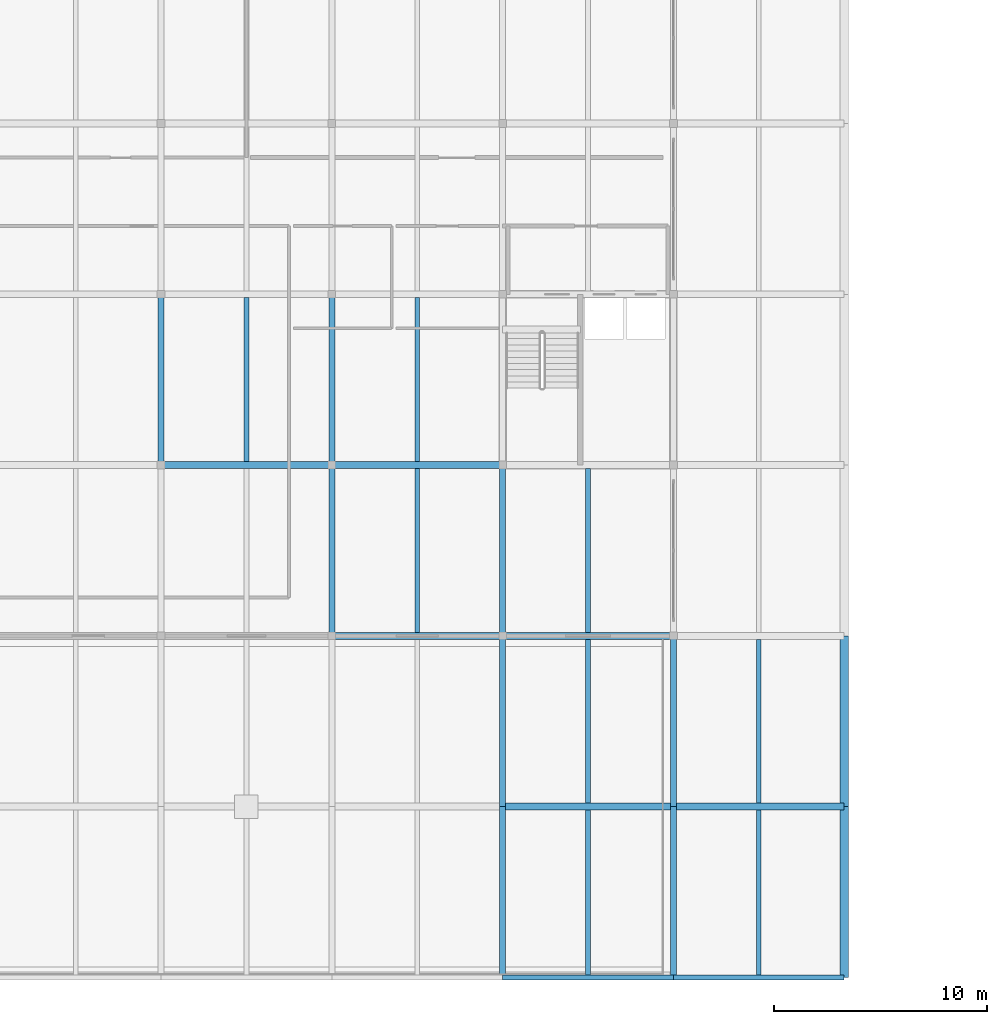
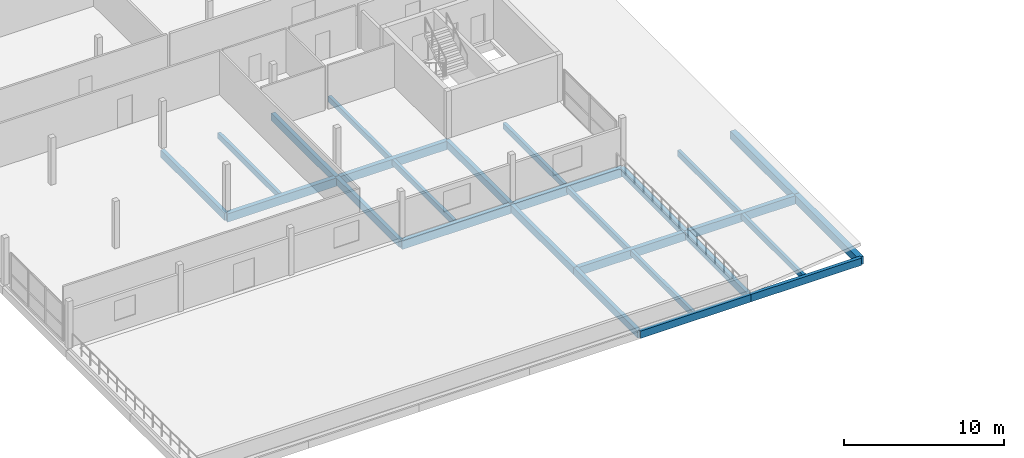
# One storey, part 5 of 25: 26 beams.
"""IFC4 building model written with IfcOpenShell, lengths in metres."""

from ifc_helpers import new_model, si_unit, direction, frame, origin, origin_2d, place, context, subcontext, project, spatial, rectangle, extrude, material, material_profile, profile_set, type_object, element, save


model = new_model("IFC4")

# Units and contexts
model_context = context("Model", 3, precision=1e-05, world=origin(), true_north=direction((0.0, 1.0)))
body_context = subcontext(model_context, "Body", "Model", "MODEL_VIEW")
ifc_project = project(units=[si_unit("LENGTHUNIT", "METRE"), si_unit("AREAUNIT", "SQUARE_METRE"), si_unit("VOLUMEUNIT", "CUBIC_METRE"), si_unit("PLANEANGLEUNIT", "RADIAN"), si_unit("MASSUNIT", "GRAM", prefix="KILO")], contexts=[model_context])

# Site, building, storey
site_placement = place(None, origin())
site = spatial("IfcSite", under=ifc_project, at=site_placement, CompositionType="ELEMENT")
building_placement = place(site_placement, origin())
building = spatial("IfcBuilding", under=site, at=building_placement, Name="Vharandega Faculty of Natural Sciences", CompositionType="ELEMENT")
storey_placement = place(building_placement, frame((0.0, 0.0, 25.199951171875)))
storey = spatial("IfcBuildingStorey", under=building, at=storey_placement, Name="L06", CompositionType="ELEMENT", Elevation=25.199951171875)

# Beams
ifc_material_1 = material(Name="Glulam GL28h", Category="wood")
ifc_material_profile_1 = material_profile(ifc_material_1, rectangle(XDim=0.280029296875, YDim=0.56005859375, at=origin_2d()), Name="GL28h 280x560")
ifc_profile_set_1 = profile_set([ifc_material_profile_1], Name="Glulam GL28h")
beam_type_1 = type_object("IfcBeamType", Name="Glulam Floor Beam 280x560", PredefinedType="BEAM", material=ifc_profile_set_1)
for number, where, z_axis, x_axis, name in (
    (1, (16.0, 40.0, -0.47998046875), (0.0, 1.0, 0.0), (-1.0, 0.0, 0.0), "Beam L06 3/F-G"),
    (2, (24.0, 32.0, -0.47998046875), (0.0, 1.0, 0.0), (-1.0, 0.0, 0.0), "Beam L06 4/E-F"),
    (3, (24.0, 40.0, -0.47998046875), (0.0, 1.0, 0.0), (-1.0, 0.0, 0.0), "Beam L06 4/F-G"),
    (4, (32.0, 16.0, -0.52001953125), (0.0, 1.0, 0.0), (-1.0, 0.0, 0.0), "Beam L06 5/C-D"),
    (5, (32.0, 24.0, -0.52001953125), (0.0, 1.0, 0.0), (-1.0, 0.0, 0.0), "Beam L06 5/D-E"),
    (6, (32.0, 32.0, -0.47998046875), (0.0, 1.0, 0.0), (-1.0, 0.0, 0.0), "Beam L06 5/E-F"),
    (7, (40.0, 16.0, -0.52001953125), (0.0, 1.0, 0.0), (-1.0, 0.0, 0.0), "Beam L06 6/C-D"),
    (8, (40.0, 24.0, -0.52001953125), (0.0, 1.0, 0.0), (-1.0, 0.0, 0.0), "Beam L06 6/D-E"),
):
    element("IfcBeam", number, at=place(storey_placement, frame(where, z_axis=z_axis, x_axis=x_axis)), inside=storey, type_object=beam_type_1, Name=name, PredefinedType="BEAM", context=body_context, shape_type="SweptSolid", body=[
        extrude(rectangle(XDim=0.280029296875, YDim=0.56005859375, at=origin_2d()), origin(), (0.0, 0.0, 1.0), 8.0),
    ])
ifc_material_2 = material(Name="Glulam GL28h", Category="wood")
ifc_material_profile_2 = material_profile(ifc_material_2, rectangle(XDim=0.320068359375, YDim=0.639892578125, at=origin_2d()), Name="GL28h 320x640")
ifc_profile_set_2 = profile_set([ifc_material_profile_2], Name="Glulam GL28h")
beam_type_2 = type_object("IfcBeamType", Name="Glulam Floor Beam 320x640", PredefinedType="BEAM", material=ifc_profile_set_2)
for number, where, z_axis, x_axis, name in (
    (9, (32.0, 24.0, -0.56005859375), (1.0, 0.0, 0.0), (0.0, 1.0, 0.0), "Beam L06 D/5-6"),
    (10, (40.0, 24.0, -0.56005859375), (1.0, 0.0, 0.0), (0.0, 1.0, 0.0), "Beam L06 D/6-7"),
    (11, (24.0, 32.0, -0.56005859375), (1.0, 0.0, 0.0), (0.0, 1.0, 0.0), "Beam L06 E/4-5"),
    (12, (32.0, 32.0, -0.56005859375), (1.0, 0.0, 0.0), (0.0, 1.0, 0.0), "Beam L06 E/5-6"),
    (13, (16.0, 40.0, -0.52001953125), (1.0, 0.0, 0.0), (0.0, 1.0, 0.0), "Beam L06 F/3-4"),
    (14, (24.0, 40.0, -0.52001953125), (1.0, 0.0, 0.0), (0.0, 1.0, 0.0), "Beam L06 F/4-5"),
):
    element("IfcBeam", number, at=place(storey_placement, frame(where, z_axis=z_axis, x_axis=x_axis)), inside=storey, type_object=beam_type_2, Name=name, PredefinedType="BEAM", context=body_context, shape_type="SweptSolid", body=[
        extrude(rectangle(XDim=0.320068359375, YDim=0.639892578125, at=origin_2d()), origin(), (0.0, 0.0, 1.0), 8.0),
    ])
ifc_material_3 = material(Name="Glulam GL28h", Category="wood")
ifc_material_profile_3 = material_profile(ifc_material_3, rectangle(XDim=0.219970703125, YDim=0.43994140625, at=origin_2d()), Name="GL28h 220x440")
ifc_profile_set_3 = profile_set([ifc_material_profile_3], Name="Glulam GL28h")
beam_type_3 = type_object("IfcBeamType", Name="Glulam Secondary Joist 220x440", PredefinedType="JOIST", material=ifc_profile_set_3)
for number, where, z_axis, x_axis, name in (
    (15, (20.0, 40.159912109375, -0.419921875), (0.0, 1.0, 0.0), (-1.0, 0.0, 0.0), "Secondary Joist L06 3-4/F-G"),
    (16, (28.0, 32.159912109375, -0.419921875), (0.0, 1.0, 0.0), (-1.0, 0.0, 0.0), "Secondary Joist L06 4-5/E-F"),
    (17, (28.0, 40.159912109375, -0.419921875), (0.0, 1.0, 0.0), (-1.0, 0.0, 0.0), "Secondary Joist L06 4-5/F-G"),
):
    element("IfcBeam", number, at=place(storey_placement, frame(where, z_axis=z_axis, x_axis=x_axis)), inside=storey, type_object=beam_type_3, Name=name, PredefinedType="JOIST", context=body_context, shape_type="SweptSolid", body=[
        extrude(rectangle(XDim=0.219970703125, YDim=0.43994140625, at=origin_2d()), origin(), (0.0, 0.0, 1.0), 7.68017578125),
    ])
beam_1_placement = place(storey_placement, frame((36.0, 16.1201171875, -0.4599609375), z_axis=(0.0, 1.0, 0.0), x_axis=(-1.0, 0.0, 0.0)))
element("IfcBeam", 18, at=beam_1_placement, inside=storey, type_object=beam_type_3, Name="Secondary Joist L06 5-6/C-D", PredefinedType="JOIST", context=body_context, shape_type="SweptSolid", body=[
    extrude(rectangle(XDim=0.219970703125, YDim=0.43994140625, at=origin_2d()), origin(), (0.0, 0.0, 1.0), 7.719970703125),
])
for number, where, z_axis, x_axis, name in (
    (19, (36.0, 24.159912109375, -0.4599609375), (0.0, 1.0, 0.0), (-1.0, 0.0, 0.0), "Secondary Joist L06 5-6/D-E"),
    (20, (36.0, 32.159912109375, -0.419921875), (0.0, 1.0, 0.0), (-1.0, 0.0, 0.0), "Secondary Joist L06 5-6/E-F"),
):
    element("IfcBeam", number, at=place(storey_placement, frame(where, z_axis=z_axis, x_axis=x_axis)), inside=storey, type_object=beam_type_3, Name=name, PredefinedType="JOIST", context=body_context, shape_type="SweptSolid", body=[
        extrude(rectangle(XDim=0.219970703125, YDim=0.43994140625, at=origin_2d()), origin(), (0.0, 0.0, 1.0), 7.68017578125),
    ])
beam_2_placement = place(storey_placement, frame((44.0, 16.1201171875, -0.4599609375), z_axis=(0.0, 1.0, 0.0), x_axis=(-1.0, 0.0, 0.0)))
element("IfcBeam", 21, at=beam_2_placement, inside=storey, type_object=beam_type_3, Name="Secondary Joist L06 6-7/C-D", PredefinedType="JOIST", context=body_context, shape_type="SweptSolid", body=[
    extrude(rectangle(XDim=0.219970703125, YDim=0.43994140625, at=origin_2d()), origin(), (0.0, 0.0, 1.0), 7.719970703125),
])
beam_3_placement = place(storey_placement, frame((44.0, 24.159912109375, -0.4599609375), z_axis=(0.0, 1.0, 0.0), x_axis=(-1.0, 0.0, 0.0)))
element("IfcBeam", 22, at=beam_3_placement, inside=storey, type_object=beam_type_3, Name="Secondary Joist L06 6-7/D-E", PredefinedType="JOIST", context=body_context, shape_type="SweptSolid", body=[
    extrude(rectangle(XDim=0.219970703125, YDim=0.43994140625, at=origin_2d()), origin(), (0.0, 0.0, 1.0), 7.68017578125),
])
ifc_material_4 = material(Name="Glulam GL28h", Category="wood")
ifc_material_profile_4 = material_profile(ifc_material_4, rectangle(XDim=0.239990234375, YDim=0.56005859375, at=origin_2d()), Name="GL28h 240x560")
ifc_profile_set_4 = profile_set([ifc_material_profile_4], Name="Glulam GL28h")
beam_type_4 = type_object("IfcBeamType", Name="Glulam Spandrel Edge Beam 240x560", PredefinedType="SPANDREL", material=ifc_profile_set_4)
for number, where, z_axis, x_axis, name in (
    (23, (32.0, 16.0, -0.52001953125), (1.0, 0.0, 0.0), (0.0, 1.0, 0.0), "Beam L06 C/5-6"),
    (24, (40.0, 16.0, -0.52001953125), (1.0, 0.0, 0.0), (0.0, 1.0, 0.0), "Beam L06 C/6-7"),
):
    element("IfcBeam", number, at=place(storey_placement, frame(where, z_axis=z_axis, x_axis=x_axis)), inside=storey, type_object=beam_type_4, Name=name, PredefinedType="SPANDREL", context=body_context, shape_type="SweptSolid", body=[
        extrude(rectangle(XDim=0.239990234375, YDim=0.56005859375, at=origin_2d()), origin(), (0.0, 0.0, 1.0), 8.0),
    ])
ifc_material_5 = material(Name="Glulam GL32h", Category="wood")
ifc_material_profile_5 = material_profile(ifc_material_5, rectangle(XDim=0.39990234375, YDim=0.60009765625, at=origin_2d()), Name="GL32h 400x600")
ifc_profile_set_5 = profile_set([ifc_material_profile_5], Name="Glulam GL32h")
beam_type_5 = type_object("IfcBeamType", Name="Glulam Spine Girder 400x600", PredefinedType="BEAM", material=ifc_profile_set_5)
for number, where, z_axis, x_axis, name in (
    (25, (48.0, 16.0, -0.5400390625), (0.0, 1.0, 0.0), (-1.0, 0.0, 0.0), "Beam L06 7/C-D"),
    (26, (48.0, 24.0, -0.5400390625), (0.0, 1.0, 0.0), (-1.0, 0.0, 0.0), "Beam L06 7/D-E"),
):
    element("IfcBeam", number, at=place(storey_placement, frame(where, z_axis=z_axis, x_axis=x_axis)), inside=storey, type_object=beam_type_5, Name=name, PredefinedType="BEAM", context=body_context, shape_type="SweptSolid", body=[
        extrude(rectangle(XDim=0.39990234375, YDim=0.60009765625, at=origin_2d()), origin(), (0.0, 0.0, 1.0), 8.0),
    ])

save(model, "model.ifc")
